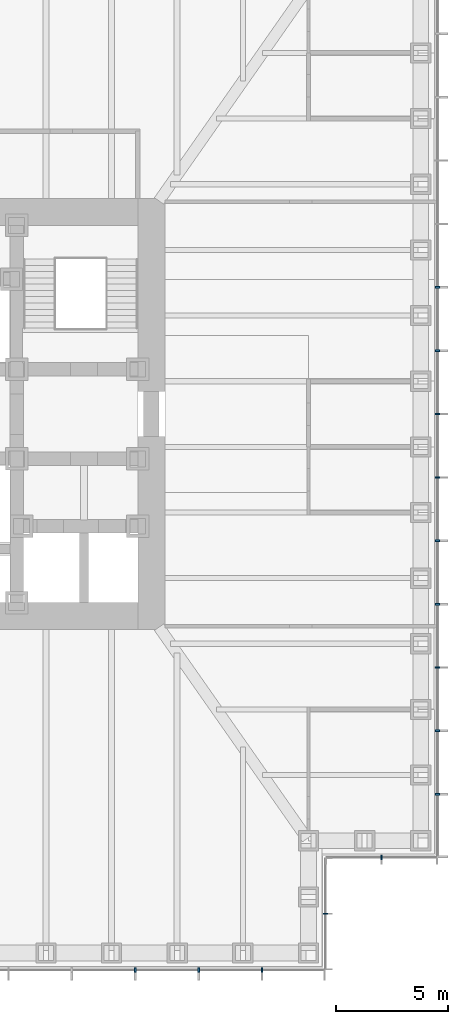
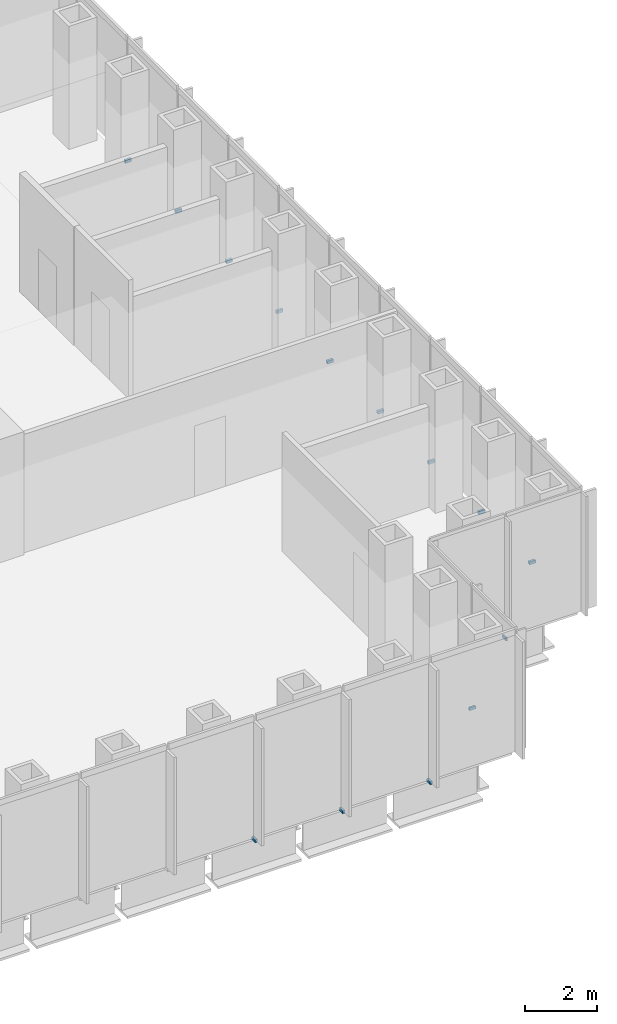
# One storey, part 14 of 17: 14 discrete accessories.
"""IFC4 building model written with IfcOpenShell, lengths in metres."""

from ifc_helpers import new_model, si_unit, direction, frame, origin, origin_2d, place, context, subcontext, project, spatial, rectangle, extrude, element, save


model = new_model("IFC4")

# Units and contexts
model_context = context("Model", 3, precision=1e-05, world=origin(), true_north=direction((0.0, 1.0)))
body_context = subcontext(model_context, "Body", "Model", "MODEL_VIEW")
ifc_project = project(units=[si_unit("LENGTHUNIT", "METRE"), si_unit("AREAUNIT", "SQUARE_METRE"), si_unit("VOLUMEUNIT", "CUBIC_METRE"), si_unit("PLANEANGLEUNIT", "RADIAN"), si_unit("MASSUNIT", "GRAM", prefix="KILO")], contexts=[model_context])

# Site, building, storey
site_placement = place(None, origin())
site = spatial("IfcSite", under=ifc_project, at=site_placement, CompositionType="ELEMENT")
building_placement = place(site_placement, origin())
building = spatial("IfcBuilding", under=site, at=building_placement, Name="Daluyong Arena Tower", CompositionType="ELEMENT")
storey_placement = place(building_placement, frame((0.0, 0.0, 60.10009765625)))
storey = spatial("IfcBuildingStorey", under=building, at=storey_placement, Name="L12", CompositionType="ELEMENT", Elevation=60.10009765625)

# Discrete accessories
for number, where, z_axis, x_axis, name in (
    (1, (67.28564453125, 55.25, -0.10009765625), (0.0, 0.0, 1.0), (1.0, 0.0, 0.0), "curtain wall L12 S anchor bracket 12"),
    (2, (70.107177734375, 55.25, -0.10009765625), (0.0, 0.0, 1.0), (1.0, 0.0, 0.0), "curtain wall L12 S anchor bracket 13"),
    (3, (72.928466796875, 55.25, -0.10009765625), (0.0, 0.0, 1.0), (1.0, 0.0, 0.0), "curtain wall L12 S anchor bracket 14"),
):
    element("IfcDiscreteAccessory", number, at=place(storey_placement, frame(where, z_axis=z_axis, x_axis=x_axis)), inside=storey, Name=name, PredefinedType="BRACKET", context=body_context, shape_type="SweptSolid", body=[
        extrude(rectangle(XDim=0.080078125, YDim=0.199951171875, at=origin_2d()), origin(), (0.0, 0.0, 1.0), 0.10009765625),
    ])
for number, where, z_axis, x_axis, name in (
    (4, (75.75, 57.75, -0.10009765625), (0.0, 0.0, 1.0), (0.0, 1.0, 0.0), "curtain wall L12 SE-E anchor bracket 2"),
    (5, (78.25, 60.25, -0.10009765625), (0.0, 0.0, 1.0), (1.0, 0.0, 0.0), "curtain wall L12 SE-S anchor bracket 2"),
):
    element("IfcDiscreteAccessory", number, at=place(storey_placement, frame(where, z_axis=z_axis, x_axis=x_axis)), inside=storey, Name=name, PredefinedType="BRACKET", context=body_context, shape_type="SweptSolid", body=[
        extrude(rectangle(XDim=0.06005859375, YDim=0.199951171875, at=origin_2d()), origin(), (0.0, 0.0, 1.0), 0.10009765625),
    ])
for number, where, z_axis, x_axis, name in (
    (6, (80.75, 63.071533203125, -0.10009765625), (0.0, 0.0, 1.0), (0.0, 1.0, 0.0), "curtain wall L12 E anchor bracket 2"),
    (7, (80.75, 65.892822265625, -0.10009765625), (0.0, 0.0, 1.0), (0.0, 1.0, 0.0), "curtain wall L12 E anchor bracket 3"),
    (8, (80.75, 68.71435546875, -0.10009765625), (0.0, 0.0, 1.0), (0.0, 1.0, 0.0), "curtain wall L12 E anchor bracket 4"),
    (9, (80.75, 71.53564453125, -0.10009765625), (0.0, 0.0, 1.0), (0.0, 1.0, 0.0), "curtain wall L12 E anchor bracket 5"),
    (10, (80.75, 74.357177734375, -0.10009765625), (0.0, 0.0, 1.0), (0.0, 1.0, 0.0), "curtain wall L12 E anchor bracket 6"),
    (11, (80.75, 77.178466796875, -0.10009765625), (0.0, 0.0, 1.0), (0.0, 1.0, 0.0), "curtain wall L12 E anchor bracket 7"),
    (12, (80.75, 80.0, -0.10009765625), (0.0, 0.0, 1.0), (0.0, 1.0, 0.0), "curtain wall L12 E anchor bracket 8"),
    (13, (80.75, 82.821533203125, -0.10009765625), (0.0, 0.0, 1.0), (0.0, 1.0, 0.0), "curtain wall L12 E anchor bracket 9"),
    (14, (80.75, 85.642822265625, -0.10009765625), (0.0, 0.0, 1.0), (0.0, 1.0, 0.0), "curtain wall L12 E anchor bracket 10"),
):
    element("IfcDiscreteAccessory", number, at=place(storey_placement, frame(where, z_axis=z_axis, x_axis=x_axis)), inside=storey, Name=name, PredefinedType="BRACKET", context=body_context, shape_type="SweptSolid", body=[
        extrude(rectangle(XDim=0.080078125, YDim=0.199951171875, at=origin_2d()), origin(), (0.0, 0.0, 1.0), 0.10009765625),
    ])

save(model, "model.ifc")
